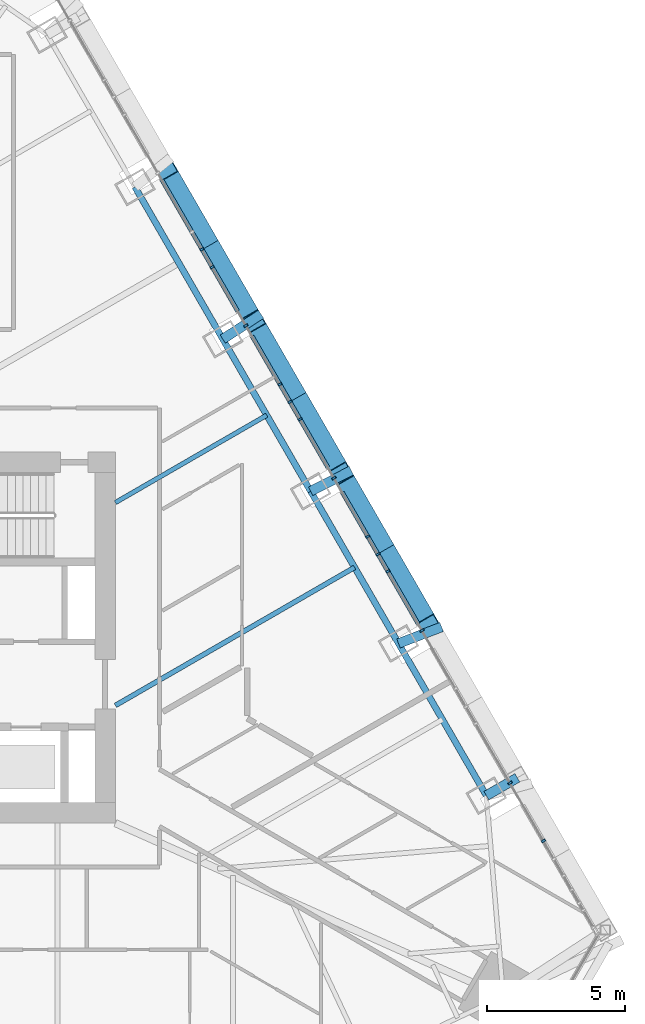
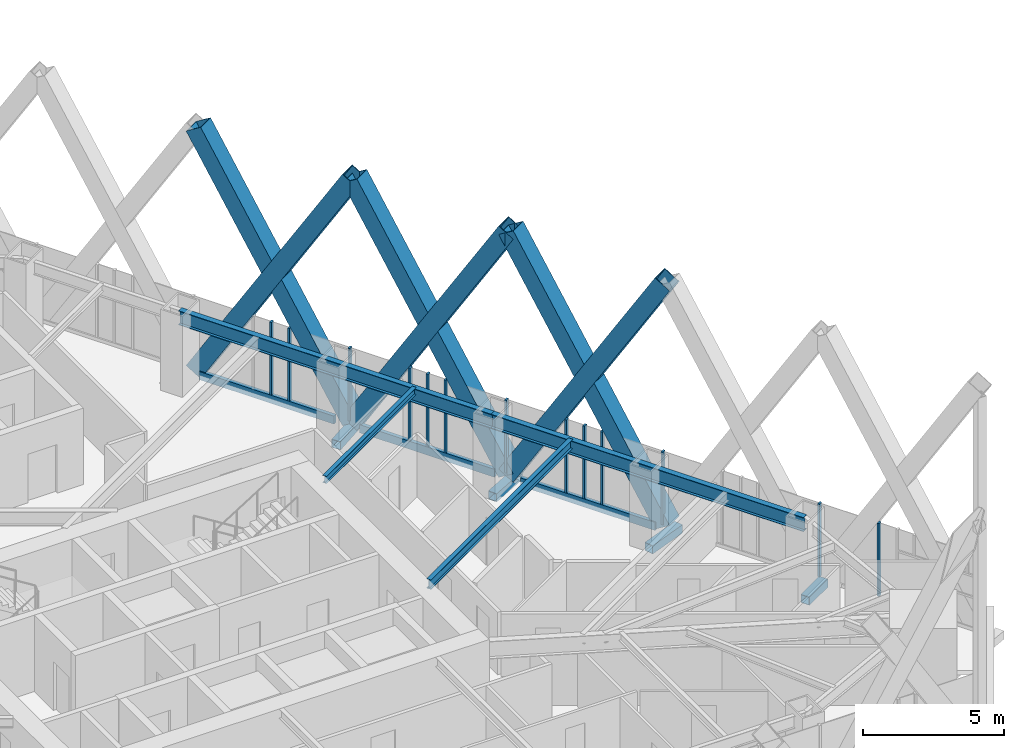
# One storey, part 6 of 21: 26 members, 4 beams, 1 element without a shape of its own.
"""IFC4 building model written with IfcOpenShell, lengths in metres."""

from ifc_helpers import new_model, si_unit, direction, frame, origin, origin_2d, place, context, subcontext, project, spatial, rectangle, hollow_rectangle, i_section, extrude, material, layer, layer_set, material_profile, profile_set, type_object, element, aggregate, save


model = new_model("IFC4")

# Units and contexts
model_context = context("Model", 3, precision=1e-05, world=origin(), true_north=direction((0.0, 1.0)))
body_context = subcontext(model_context, "Body", "Model", "MODEL_VIEW")
ifc_project = project(units=[si_unit("LENGTHUNIT", "METRE"), si_unit("AREAUNIT", "SQUARE_METRE"), si_unit("VOLUMEUNIT", "CUBIC_METRE"), si_unit("PLANEANGLEUNIT", "RADIAN"), si_unit("MASSUNIT", "GRAM", prefix="KILO")], contexts=[model_context])

# Site, building, storey
site_placement = place(None, origin())
site = spatial("IfcSite", under=ifc_project, at=site_placement, CompositionType="ELEMENT")
building_placement = place(site_placement, origin())
building = spatial("IfcBuilding", under=site, at=building_placement, Name="Firuza Gate Tower and Library", CompositionType="ELEMENT")
storey_placement = place(building_placement, frame((0.0, 0.0, 281.10009765625)))
storey = spatial("IfcBuildingStorey", under=building, at=storey_placement, Name="L67", CompositionType="ELEMENT", Elevation=281.10009765625)

# Members
ifc_material_1 = material(Name="Steel S355", Category="steel")
ifc_material_profile_1 = material_profile(ifc_material_1, hollow_rectangle(XDim=0.699951171875, YDim=0.699951171875, WallThickness=0.030029296875, at=origin_2d()))
ifc_profile_set_1 = profile_set([ifc_material_profile_1], Name="Steel S355")
member_type_1 = type_object("IfcMemberType", Name="BU700x700x30 Lattice brace", PredefinedType="BRACE", material=ifc_profile_set_1)
for number, where, z_axis, x_axis, name in (
    (1, (94.919677734375, 75.43408203125, 0.0), (-0.259909558467, 0.450178848537, 0.854275146394), (-0.866026504112, -0.499998094172, 0.0), "Lattice brace E 17.3R"),
    (2, (91.72509765625, 80.96728515625, 0.0), (0.259909558467, -0.450178848537, 0.854275146394), (0.866026504112, 0.499998094172, 0.0), "Lattice brace E 17.3L"),
):
    element("IfcMember", number, at=place(storey_placement, frame(where, z_axis=z_axis, x_axis=x_axis)), inside=storey, type_object=member_type_1, Name=name, PredefinedType="BRACE", context=body_context, shape_type="SweptSolid", body=[
        extrude(hollow_rectangle(XDim=0.699951171875, YDim=0.699951171875, WallThickness=0.030029296875, at=origin_2d()), origin(), (0.0, 0.0, 1.0), 12.291015625),
    ])
for number, where, z_axis, x_axis, name in (
    (3, (91.72509765625, 80.96728515625, 0.0), (-0.259907234342, 0.450194686004, 0.854267507418), (-0.866036056452, -0.499981548585, 0.0), "Lattice brace E 17.4R"),
    (4, (88.530517578125, 86.500732421875, 0.0), (0.259907234342, -0.450194686004, 0.854267507418), (0.866036056452, 0.499981548585, 0.0), "Lattice brace E 17.4L"),
    (5, (88.530517578125, 86.500732421875, 0.0), (-0.259928079676, 0.450176524361, 0.854270735956), (-0.866009957911, -0.500026752084, 0.0), "Lattice brace E 17.5R"),
    (6, (85.335693359375, 92.033935546875, 0.0), (0.259928079676, -0.450176524361, 0.854270735956), (0.866009957911, 0.500026752084, 0.0), "Lattice brace E 17.5L"),
):
    element("IfcMember", number, at=place(storey_placement, frame(where, z_axis=z_axis, x_axis=x_axis)), inside=storey, type_object=member_type_1, Name=name, PredefinedType="BRACE", context=body_context, shape_type="SweptSolid", body=[
        extrude(hollow_rectangle(XDim=0.699951171875, YDim=0.699951171875, WallThickness=0.030029296875, at=origin_2d()), origin(), (0.0, 0.0, 1.0), 12.291259765625),
    ])

# Curtain wall, members
ifc_material_2 = material(Name="Aluminium 6063-T6", Category="aluminium")
ifc_layer = layer(ifc_material_2, 0.14990234375)
ifc_layer_set = layer_set([ifc_layer], Name="Unitised curtain wall, residences")
curtain_wall_type = type_object("IfcCurtainWallType", Name="Unitised curtain wall, residences", PredefinedType="NOTDEFINED", material=ifc_layer_set)
curtain_wall_placement = place(storey_placement, origin())
curtain_wall = element("IfcCurtainWall", 7, at=curtain_wall_placement, inside=storey, type_object=curtain_wall_type, Name="CW3 L67 E face", PredefinedType="NOTDEFINED")
ifc_material_3 = material(Name="Aluminium 6063-T6", Category="aluminium")
ifc_material_profile_2 = material_profile(ifc_material_3, rectangle(XDim=0.14990234375, YDim=0.080078125, at=origin_2d()))
ifc_profile_set_2 = profile_set([ifc_material_profile_2], Name="Aluminium 6063-T6")
member_type_2 = type_object("IfcMemberType", Name="Curtain wall mullion 80x150", PredefinedType="MULLION", material=ifc_profile_set_2)
member_1_placement = place(storey_placement, frame((97.848388671875, 69.71142578125, 0.14990234375), z_axis=(0.0, 0.0, 1.0), x_axis=(-0.866025403784, -0.5, 0.0)))
member_1 = element("IfcMember", 8, at=member_1_placement, type_object=member_type_2, Name="Mullion", PredefinedType="MULLION", context=body_context, shape_type="SweptSolid", body=[
    extrude(rectangle(XDim=0.14990234375, YDim=0.080078125, at=origin_2d()), origin(), (0.0, 0.0, 1.0), 3.14990234375),
])
member_2_placement = place(storey_placement, frame((94.6474609375, 75.25537109375, 0.14990234375), z_axis=(0.0, 0.0, 1.0), x_axis=(-0.866025403784, -0.5, 0.0)))
member_2 = element("IfcMember", 9, at=member_2_placement, type_object=member_type_2, Name="Mullion", PredefinedType="MULLION", context=body_context, shape_type="SweptSolid", body=[
    extrude(rectangle(XDim=0.14990234375, YDim=0.080078125, at=origin_2d()), origin(), (0.0, 0.0, 1.0), 3.14990234375),
])
member_3_placement = place(storey_placement, frame((93.047119140625, 78.027587890625, 0.14990234375), z_axis=(0.0, 0.0, 1.0), x_axis=(-0.866025403784, -0.5, 0.0)))
member_3 = element("IfcMember", 10, at=member_3_placement, type_object=member_type_2, Name="Mullion", PredefinedType="MULLION", context=body_context, shape_type="SweptSolid", body=[
    extrude(rectangle(XDim=0.14990234375, YDim=0.080078125, at=origin_2d()), origin(), (0.0, 0.0, 1.0), 3.14990234375),
])
member_4_placement = place(storey_placement, frame((91.44677734375, 80.799560546875, 0.14990234375), z_axis=(0.0, 0.0, 1.0), x_axis=(-0.866025403784, -0.5, 0.0)))
member_4 = element("IfcMember", 11, at=member_4_placement, type_object=member_type_2, Name="Mullion", PredefinedType="MULLION", context=body_context, shape_type="SweptSolid", body=[
    extrude(rectangle(XDim=0.14990234375, YDim=0.080078125, at=origin_2d()), origin(), (0.0, 0.0, 1.0), 3.14990234375),
])
member_5_placement = place(storey_placement, frame((89.84619140625, 83.571533203125, 0.14990234375), z_axis=(0.0, 0.0, 1.0), x_axis=(-0.866025403784, -0.5, 0.0)))
member_5 = element("IfcMember", 12, at=member_5_placement, type_object=member_type_2, Name="Mullion", PredefinedType="MULLION", context=body_context, shape_type="SweptSolid", body=[
    extrude(rectangle(XDim=0.14990234375, YDim=0.080078125, at=origin_2d()), origin(), (0.0, 0.0, 1.0), 3.14990234375),
])
member_6_placement = place(storey_placement, frame((88.245849609375, 86.343505859375, 0.14990234375), z_axis=(0.0, 0.0, 1.0), x_axis=(-0.866025403784, -0.5, 0.0)))
member_6 = element("IfcMember", 13, at=member_6_placement, type_object=member_type_2, Name="Mullion", PredefinedType="MULLION", context=body_context, shape_type="SweptSolid", body=[
    extrude(rectangle(XDim=0.14990234375, YDim=0.080078125, at=origin_2d()), origin(), (0.0, 0.0, 1.0), 3.14990234375),
])
member_7_placement = place(storey_placement, frame((86.6455078125, 89.115478515625, 0.14990234375), z_axis=(0.0, 0.0, 1.0), x_axis=(-0.866025403784, -0.5, 0.0)))
member_7 = element("IfcMember", 14, at=member_7_placement, type_object=member_type_2, Name="Mullion", PredefinedType="MULLION", context=body_context, shape_type="SweptSolid", body=[
    extrude(rectangle(XDim=0.14990234375, YDim=0.080078125, at=origin_2d()), origin(), (0.0, 0.0, 1.0), 3.14990234375),
])
member_8_placement = place(storey_placement, frame((99.064453125, 67.60546875, 0.14990234375), z_axis=(0.0, 0.0, 1.0), x_axis=(-0.866025403784, -0.5, 0.0)))
member_8 = element("IfcMember", 15, at=member_8_placement, type_object=member_type_2, Name="Mullion", PredefinedType="MULLION", context=body_context, shape_type="SweptSolid", body=[
    extrude(rectangle(XDim=0.14990234375, YDim=0.080078125, at=origin_2d()), origin(), (0.0, 0.0, 1.0), 3.14990234375),
])
member_9_placement = place(storey_placement, frame((93.406982421875, 77.404296875, 0.14990234375), z_axis=(0.0, 0.0, 1.0), x_axis=(-0.866025403784, -0.5, 0.0)))
member_9 = element("IfcMember", 16, at=member_9_placement, type_object=member_type_2, Name="Mullion", PredefinedType="MULLION", context=body_context, shape_type="SweptSolid", body=[
    extrude(rectangle(XDim=0.14990234375, YDim=0.080078125, at=origin_2d()), origin(), (0.0, 0.0, 1.0), 3.14990234375),
])
member_10_placement = place(storey_placement, frame((92.675048828125, 78.672119140625, 0.14990234375), z_axis=(0.0, 0.0, 1.0), x_axis=(-0.866025403784, -0.5, 0.0)))
member_10 = element("IfcMember", 17, at=member_10_placement, type_object=member_type_2, Name="Mullion", PredefinedType="MULLION", context=body_context, shape_type="SweptSolid", body=[
    extrude(rectangle(XDim=0.14990234375, YDim=0.080078125, at=origin_2d()), origin(), (0.0, 0.0, 1.0), 3.14990234375),
])
member_11_placement = place(storey_placement, frame((90.212158203125, 82.937744140625, 0.14990234375), z_axis=(0.0, 0.0, 1.0), x_axis=(-0.866025403784, -0.5, 0.0)))
member_11 = element("IfcMember", 18, at=member_11_placement, type_object=member_type_2, Name="Mullion", PredefinedType="MULLION", context=body_context, shape_type="SweptSolid", body=[
    extrude(rectangle(XDim=0.14990234375, YDim=0.080078125, at=origin_2d()), origin(), (0.0, 0.0, 1.0), 3.14990234375),
])
member_12_placement = place(storey_placement, frame((89.480224609375, 84.205322265625, 0.14990234375), z_axis=(0.0, 0.0, 1.0), x_axis=(-0.866025403784, -0.5, 0.0)))
member_12 = element("IfcMember", 19, at=member_12_placement, type_object=member_type_2, Name="Mullion", PredefinedType="MULLION", context=body_context, shape_type="SweptSolid", body=[
    extrude(rectangle(XDim=0.14990234375, YDim=0.080078125, at=origin_2d()), origin(), (0.0, 0.0, 1.0), 3.14990234375),
])
member_13_placement = place(storey_placement, frame((87.017578125, 88.470947265625, 0.14990234375), z_axis=(0.0, 0.0, 1.0), x_axis=(-0.866025403784, -0.5, 0.0)))
member_13 = element("IfcMember", 20, at=member_13_placement, type_object=member_type_2, Name="Mullion", PredefinedType="MULLION", context=body_context, shape_type="SweptSolid", body=[
    extrude(rectangle(XDim=0.14990234375, YDim=0.080078125, at=origin_2d()), origin(), (0.0, 0.0, 1.0), 3.14990234375),
])
ifc_material_4 = material(Name="Aluminium 6063-T6", Category="aluminium")
ifc_material_profile_3 = material_profile(ifc_material_4, rectangle(XDim=0.14990234375, YDim=0.35009765625, at=origin_2d()))
ifc_profile_set_3 = profile_set([ifc_material_profile_3], Name="Aluminium 6063-T6")
member_type_3 = type_object("IfcMemberType", Name="Curtain wall transom 350x150", PredefinedType="USERDEFINED", material=ifc_profile_set_3)
member_14_placement = place(storey_placement, frame((94.506591796875, 75.499755859375, -0.025146484375), z_axis=(-0.500003709762, 0.866023261942, 0.0), x_axis=(-0.866023261942, -0.500003709762, 0.0)))
member_14 = element("IfcMember", 21, at=member_14_placement, type_object=member_type_3, Name="Transom", ObjectType="TRANSOM", PredefinedType="USERDEFINED", context=body_context, shape_type="SweptSolid", body=[
    extrude(rectangle(XDim=0.14990234375, YDim=0.35009765625, at=origin_2d()), origin(), (0.0, 0.0, 1.0), 5.51025390625),
])
member_15_placement = place(storey_placement, frame((91.223876953125, 81.185546875, -0.025146484375), z_axis=(-0.500003709762, 0.866023261942, 0.0), x_axis=(-0.866023261942, -0.500003709762, 0.0)))
member_15 = element("IfcMember", 22, at=member_15_placement, type_object=member_type_3, Name="Transom", ObjectType="TRANSOM", PredefinedType="USERDEFINED", context=body_context, shape_type="SweptSolid", body=[
    extrude(rectangle(XDim=0.14990234375, YDim=0.35009765625, at=origin_2d()), origin(), (0.0, 0.0, 1.0), 5.51025390625),
])
member_16_placement = place(storey_placement, frame((87.941162109375, 86.871337890625, -0.025146484375), z_axis=(-0.500003709762, 0.866023261942, 0.0), x_axis=(-0.866023261942, -0.500003709762, 0.0)))
member_16 = element("IfcMember", 23, at=member_16_placement, type_object=member_type_3, Name="Transom", ObjectType="TRANSOM", PredefinedType="USERDEFINED", context=body_context, shape_type="SweptSolid", body=[
    extrude(rectangle(XDim=0.14990234375, YDim=0.35009765625, at=origin_2d()), origin(), (0.0, 0.0, 1.0), 5.51025390625),
])
aggregate(curtain_wall, [member_1, member_2, member_3, member_4, member_5, member_6, member_7, member_14, member_15, member_16, member_8, member_9, member_10, member_11, member_12, member_13])

# Members
ifc_material_5 = material(Name="Steel S355", Category="steel")
ifc_material_profile_4 = material_profile(ifc_material_5, hollow_rectangle(XDim=0.355712890625, YDim=0.355712890625, WallThickness=0.014892578125, at=origin_2d()))
ifc_profile_set_4 = profile_set([ifc_material_profile_4], Name="Steel S355")
member_type_4 = type_object("IfcMemberType", Name="HSS356x356x16 Lattice node tie", PredefinedType="BRACE", material=ifc_profile_set_4)
for number, where, z_axis, x_axis, name in (
    (24, (87.404541015625, 85.8505859375, -0.320068359375), (0.838272003294, 0.545252279677, 0.0), (-0.545252279677, 0.838272003294, 0.0), "Lattice node tie E L67 432"),
    (25, (90.599365234375, 80.3173828125, -0.320068359375), (0.891373028978, 0.453270474673, 0.0), (-0.453270474673, 0.891373028978, 0.0), "Lattice node tie E L67 433"),
):
    element("IfcMember", number, at=place(storey_placement, frame(where, z_axis=z_axis, x_axis=x_axis)), inside=storey, type_object=member_type_4, Name=name, PredefinedType="BRACE", context=body_context, shape_type="SweptSolid", body=[
        extrude(hollow_rectangle(XDim=0.355712890625, YDim=0.355712890625, WallThickness=0.014892578125, at=origin_2d()), origin(), (0.0, 0.0, 1.0), 1.657958984375),
    ])
member_17_placement = place(storey_placement, frame((93.7939453125, 74.783935546875, -0.320068359375), z_axis=(0.933926060074, 0.357466242202, 0.0), x_axis=(-0.357466242202, 0.933926060074, 0.0)))
element("IfcMember", 26, at=member_17_placement, inside=storey, type_object=member_type_4, Name="Lattice node tie E L67 434", PredefinedType="BRACE", context=body_context, shape_type="SweptSolid", body=[
    extrude(hollow_rectangle(XDim=0.355712890625, YDim=0.355712890625, WallThickness=0.014892578125, at=origin_2d()), origin(), (0.0, 0.0, 1.0), 1.6767578125),
])
member_18_placement = place(storey_placement, frame((96.988525390625, 69.250732421875, -0.320068359375), z_axis=(0.866085525409, 0.49989585183, 0.0), x_axis=(-0.49989585183, 0.866085525409, 0.0)))
element("IfcMember", 27, at=member_18_placement, inside=storey, type_object=member_type_4, Name="Lattice node tie E L67 436", PredefinedType="BRACE", context=body_context, shape_type="SweptSolid", body=[
    extrude(hollow_rectangle(XDim=0.355712890625, YDim=0.355712890625, WallThickness=0.014892578125, at=origin_2d()), origin(), (0.0, 0.0, 1.0), 1.300048828125),
])

# Beams
ifc_material_6 = material(Name="Steel S355", Category="steel")
ifc_material_profile_5 = material_profile(ifc_material_6, i_section(OverallWidth=0.1650390625, OverallDepth=0.31005859375, WebThickness=0.005859375, FlangeThickness=0.009765625, at=origin_2d()))
ifc_profile_set_5 = profile_set([ifc_material_profile_5], Name="Steel S355")
beam_type_1 = type_object("IfcBeamType", Name="W310x39 Floor beam", PredefinedType="JOIST", material=ifc_profile_set_5)
beam_1_placement = place(storey_placement, frame((89.001953125, 83.083984375, 3.14501953125), z_axis=(-0.866028160477, -0.499995225238, 0.0), x_axis=(0.499995225238, -0.866028160477, 0.0)))
element("IfcBeam", 28, at=beam_1_placement, inside=storey, type_object=beam_type_1, Name="Floor beam L67 s52", PredefinedType="JOIST", context=body_context, shape_type="SweptSolid", body=[
    extrude(i_section(OverallWidth=0.1650390625, OverallDepth=0.31005859375, WebThickness=0.005859375, FlangeThickness=0.009765625, at=origin_2d()), origin(), (0.0, 0.0, 1.0), 6.35302734375),
])
ifc_material_7 = material(Name="Steel S355", Category="steel")
ifc_material_profile_6 = material_profile(ifc_material_7, i_section(OverallWidth=0.177978515625, OverallDepth=0.406982421875, WebThickness=0.0078125, FlangeThickness=0.0126953125, at=origin_2d()))
ifc_profile_set_6 = profile_set([ifc_material_profile_6], Name="Steel S355")
beam_type_2 = type_object("IfcBeamType", Name="W410x60 Floor beam", PredefinedType="JOIST", material=ifc_profile_set_6)
beam_2_placement = place(storey_placement, frame((92.196533203125, 77.55078125, 3.096435546875), z_axis=(-0.866023234473, -0.500003757339, 0.0), x_axis=(0.500003757339, -0.866023234473, 0.0)))
element("IfcBeam", 29, at=beam_2_placement, inside=storey, type_object=beam_type_2, Name="Floor beam L67 s51", PredefinedType="JOIST", context=body_context, shape_type="SweptSolid", body=[
    extrude(i_section(OverallWidth=0.177978515625, OverallDepth=0.406982421875, WebThickness=0.0078125, FlangeThickness=0.0126953125, at=origin_2d()), origin(), (0.0, 0.0, 1.0), 10.0419921875),
])
ifc_material_8 = material(Name="Steel S355", Category="steel")
ifc_material_profile_7 = material_profile(ifc_material_8, i_section(OverallWidth=0.22900390625, OverallDepth=0.612060546875, WebThickness=0.011962890625, FlangeThickness=0.01953125, at=origin_2d()))
ifc_profile_set_7 = profile_set([ifc_material_profile_7], Name="Steel S355")
beam_type_3 = type_object("IfcBeamType", Name="W610x125 Edge beam", PredefinedType="SPANDREL", material=ifc_profile_set_7)
beam_3_placement = place(storey_placement, frame((96.988525390625, 69.250732421875, 2.993896484375), z_axis=(-0.499989821264, 0.866031280401, 0.0), x_axis=(-0.866031280401, -0.499989821264, 0.0)))
element("IfcBeam", 30, at=beam_3_placement, inside=storey, type_object=beam_type_3, Name="Edge beam L67 e50", PredefinedType="SPANDREL", context=body_context, shape_type="SweptSolid", body=[
    extrude(i_section(OverallWidth=0.22900390625, OverallDepth=0.612060546875, WebThickness=0.011962890625, FlangeThickness=0.01953125, at=origin_2d()), origin(), (0.0, 0.0, 1.0), 12.778564453125),
])
beam_4_placement = place(storey_placement, frame((90.599365234375, 80.3173828125, 2.993896484375), z_axis=(-0.500004150346, 0.866023007568, 0.0), x_axis=(-0.866023007568, -0.500004150346, 0.0)))
element("IfcBeam", 31, at=beam_4_placement, inside=storey, type_object=beam_type_3, Name="Edge beam L67 e52", PredefinedType="SPANDREL", context=body_context, shape_type="SweptSolid", body=[
    extrude(i_section(OverallWidth=0.22900390625, OverallDepth=0.612060546875, WebThickness=0.011962890625, FlangeThickness=0.01953125, at=origin_2d()), origin(), (0.0, 0.0, 1.0), 12.77880859375),
])

save(model, "model.ifc")
